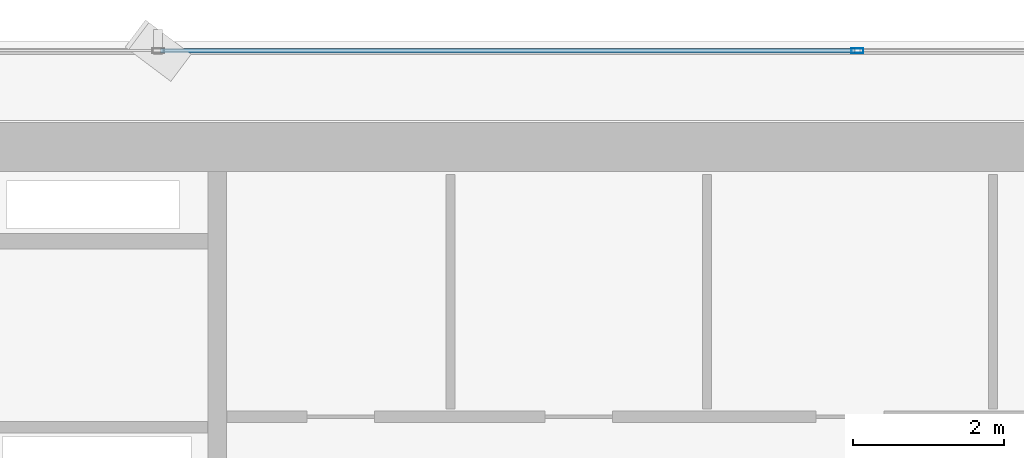
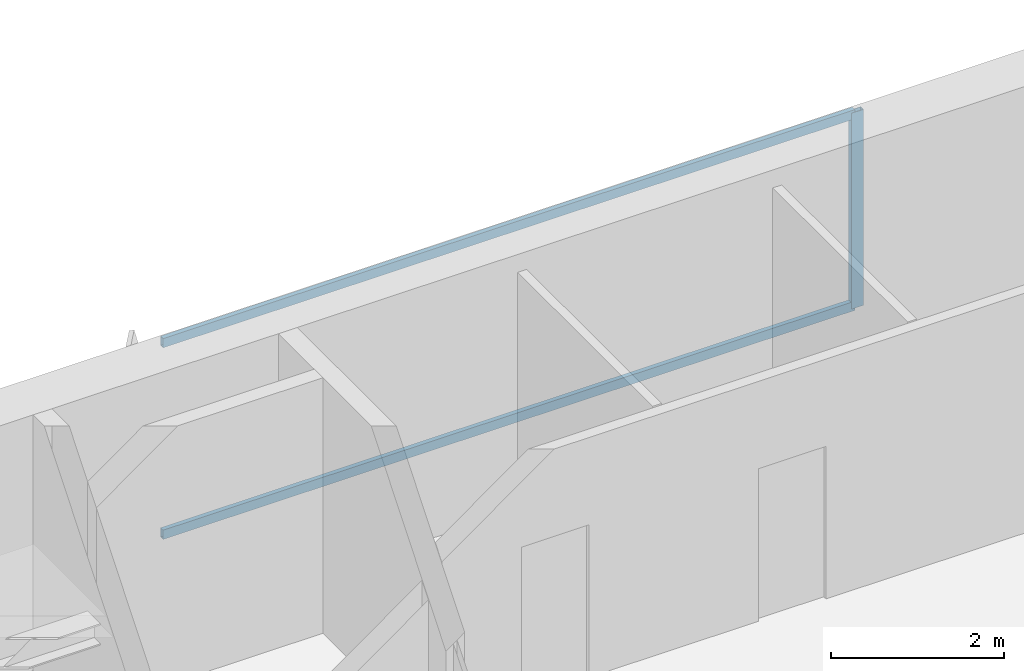
# One storey, part 16 of 27: 3 members, 1 element without a shape of its own.
"""IFC4 building model written with IfcOpenShell, lengths in metres."""

from ifc_helpers import new_model, si_unit, direction, frame, origin, origin_2d, place, context, subcontext, project, spatial, hollow_rectangle, extrude, source, transform, mapped, material, layer, layer_set, material_profile, profile_set, type_object, element, aggregate, save


model = new_model("IFC4")

# Units and contexts
model_context = context("Model", 3, precision=1e-05, world=origin(), true_north=direction((0.0, 1.0)))
body_context = subcontext(model_context, "Body", "Model", "MODEL_VIEW")
ifc_project = project(units=[si_unit("LENGTHUNIT", "METRE"), si_unit("AREAUNIT", "SQUARE_METRE"), si_unit("VOLUMEUNIT", "CUBIC_METRE"), si_unit("PLANEANGLEUNIT", "RADIAN"), si_unit("MASSUNIT", "GRAM", prefix="KILO")], contexts=[model_context])

# Site, building, storey
site_placement = place(None, origin())
site = spatial("IfcSite", under=ifc_project, at=site_placement, CompositionType="ELEMENT")
building_placement = place(site_placement, origin())
building = spatial("IfcBuilding", under=site, at=building_placement, Name="Sumidabori Civic Tower", CompositionType="ELEMENT")
storey_placement = place(building_placement, frame((0.0, 0.0, 160.39990234375)))
storey = spatial("IfcBuildingStorey", under=building, at=storey_placement, Name="L41", CompositionType="ELEMENT", Elevation=160.39990234375)

# Curtain wall, members
ifc_material = material(Name="Anodised Bronze Aluminium AW-6063-T6", Category="aluminium")
ifc_layer = layer(ifc_material, 0.179931640625, Name="Anodised Bronze Aluminium AW-6063-T6")
ifc_layer_set = layer_set([ifc_layer], Name="Anodised Bronze Aluminium AW-6063-T6")
curtain_wall_type = type_object("IfcCurtainWallType", Name="CW-SYS-3", PredefinedType="NOTDEFINED", material=ifc_layer_set)
curtain_wall_placement = place(storey_placement, origin())
curtain_wall = element("IfcCurtainWall", 1, at=curtain_wall_placement, inside=storey, type_object=curtain_wall_type, Name="Curtain Wall CW:L41:R07", PredefinedType="NOTDEFINED")
ifc_material_profile_1 = material_profile(ifc_material, hollow_rectangle(XDim=0.06494140625, YDim=0.159912109375, WallThickness=0.0048828125, at=origin_2d()), Name="ALU MULLION 160x65")
ifc_profile_set_1 = profile_set([ifc_material_profile_1], Name="Anodised Bronze Aluminium AW-6063-T6")
member_type_1 = type_object("IfcMemberType", Name="CW-MUL-160", PredefinedType="MULLION", material=ifc_profile_set_1)
shared_shape_1 = source(origin(), body_context, "Body", "SweptSolid", [
    extrude(hollow_rectangle(XDim=0.06494140625, YDim=0.159912109375, WallThickness=0.0048828125, at=origin_2d()), origin(), (0.0, 0.0, 1.0), 2.760009765625),
])
member_1_placement = place(storey_placement, frame((0.0, 25.080078125, 0.0), z_axis=(0.0, 0.0, 1.0), x_axis=(0.0, -1.0, 0.0)))
member_1 = element("IfcMember", 2, at=member_1_placement, type_object=member_type_1, Name="CW-3 mullion 3", PredefinedType="MULLION", context=body_context, shape_type="MappedRepresentation", body=[
    mapped(shared_shape_1, transform((0.0, 0.0, 0.0), x_axis=(1.0, 0.0, 0.0), y_axis=(0.0, 1.0, 0.0), z_axis=(0.0, 0.0, 1.0), scale=1.0)),
])
ifc_material_profile_2 = material_profile(ifc_material, hollow_rectangle(XDim=0.06005859375, YDim=0.1298828125, WallThickness=0.0048828125, at=origin_2d()), Name="ALU TRANSOM 130x60")
ifc_profile_set_2 = profile_set([ifc_material_profile_2], Name="Anodised Bronze Aluminium AW-6063-T6")
member_type_2 = type_object("IfcMemberType", Name="CW-TRN-130", PredefinedType="USERDEFINED", material=ifc_profile_set_2)
shared_shape_2 = source(origin(), body_context, "Body", "SweptSolid", [
    extrude(hollow_rectangle(XDim=0.06005859375, YDim=0.1298828125, WallThickness=0.0048828125, at=origin_2d()), origin(), (0.0, 0.0, 1.0), 9.219970703125),
])
member_2_placement = place(storey_placement, frame((-0.032470703125, 25.080078125, 0.030029296875), z_axis=(-1.0, 0.0, 0.0), x_axis=(0.0, -1.0, 0.0)))
member_2 = element("IfcMember", 3, at=member_2_placement, type_object=member_type_2, Name="CW-3 transom 3.1", ObjectType="TRANSOM", PredefinedType="USERDEFINED", context=body_context, shape_type="MappedRepresentation", body=[
    mapped(shared_shape_2, transform((0.0, 0.0, 0.0), x_axis=(1.0, 0.0, 0.0), y_axis=(0.0, 1.0, 0.0), z_axis=(0.0, 0.0, 1.0), scale=1.0)),
])
member_3_placement = place(storey_placement, frame((-0.032470703125, 25.080078125, 2.72998046875), z_axis=(-1.0, 0.0, 0.0), x_axis=(0.0, -1.0, 0.0)))
member_3 = element("IfcMember", 4, at=member_3_placement, type_object=member_type_2, Name="CW-3 transom 3.2", ObjectType="TRANSOM", PredefinedType="USERDEFINED", context=body_context, shape_type="MappedRepresentation", body=[
    mapped(shared_shape_2, transform((0.0, 0.0, 0.0), x_axis=(1.0, 0.0, 0.0), y_axis=(0.0, 1.0, 0.0), z_axis=(0.0, 0.0, 1.0), scale=1.0)),
])
aggregate(curtain_wall, [member_1, member_2, member_3])

save(model, "model.ifc")
